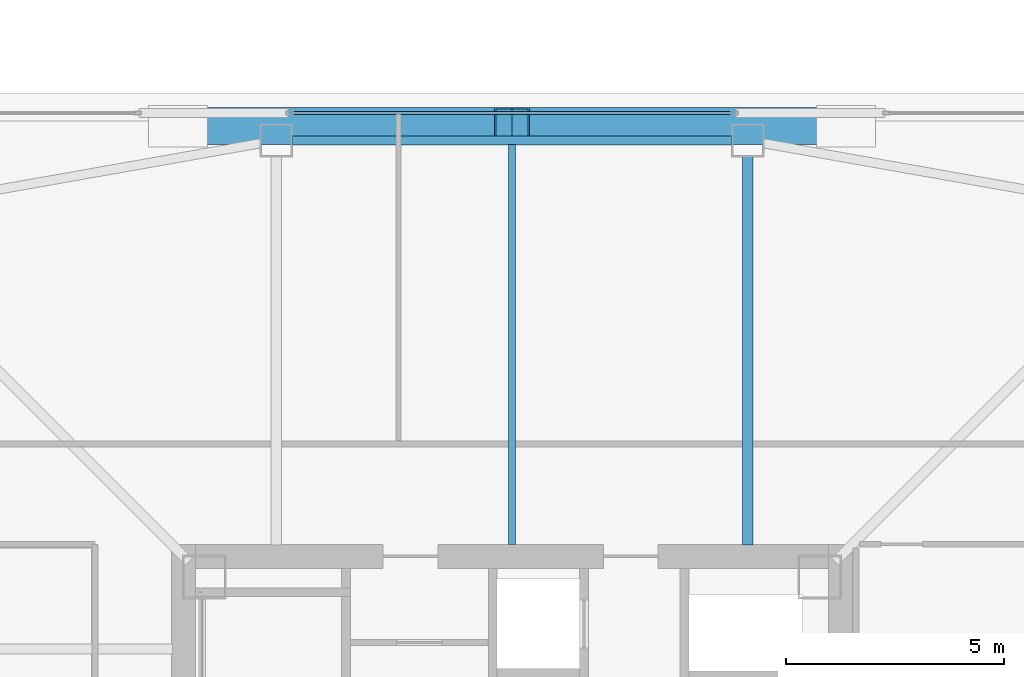
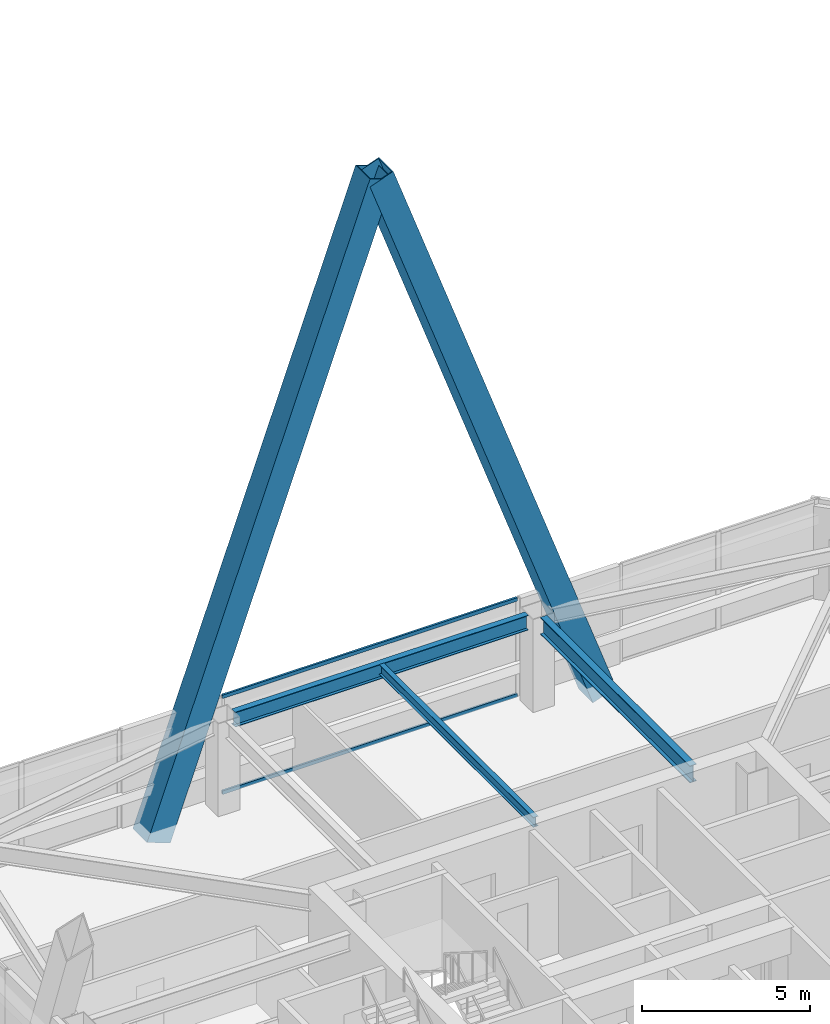
# One storey, part 18 of 55: 4 members, 3 beams, 1 element without a shape of its own.
"""IFC4 building model written with IfcOpenShell, lengths in metres."""

from ifc_helpers import new_model, si_unit, direction, frame, origin, origin_2d, place, context, subcontext, project, spatial, hollow_rectangle, i_section, extrude, material, material_profile, profile_set, type_object, element, aggregate, save


model = new_model("IFC4")

# Units and contexts
model_context = context("Model", 3, precision=1e-05, world=origin(), true_north=direction((0.0, 1.0)))
body_context = subcontext(model_context, "Body", "Model", "MODEL_VIEW")
ifc_project = project(units=[si_unit("LENGTHUNIT", "METRE"), si_unit("AREAUNIT", "SQUARE_METRE"), si_unit("VOLUMEUNIT", "CUBIC_METRE"), si_unit("PLANEANGLEUNIT", "RADIAN"), si_unit("MASSUNIT", "GRAM", prefix="KILO")], contexts=[model_context])

# Site, building, storey
site_placement = place(None, origin())
site = spatial("IfcSite", under=ifc_project, at=site_placement, CompositionType="ELEMENT")
building_placement = place(site_placement, origin())
building = spatial("IfcBuilding", under=site, at=building_placement, Name="Tashvorn Skyway Center", CompositionType="ELEMENT")
storey_placement = place(building_placement, frame((0.0, 0.0, 178.300048828125)))
storey = spatial("IfcBuildingStorey", under=building, at=storey_placement, Name="L48", CompositionType="ELEMENT", Elevation=178.300048828125)

# Beams
ifc_material_1 = material(Name="Steel ASTM A992 Grade 50", Category="steel")
ifc_material_profile_1 = material_profile(ifc_material_1, i_section(OverallWidth=0.22998046875, OverallDepth=0.616943359375, WebThickness=0.01318359375, FlangeThickness=0.022216796875, at=origin_2d()), Name="W24X94")
ifc_profile_set_1 = profile_set([ifc_material_profile_1], Name="Steel ASTM A992 Grade 50")
beam_type_1 = type_object("IfcBeamType", Name="BM-BEAM-W24X94", PredefinedType="BEAM", material=ifc_profile_set_1)
beam_1_placement = place(storey_placement, frame((47.39990234375, 48.679931640625, 3.0615234375), z_axis=(0.0, -1.0, 0.0), x_axis=(1.0, 0.0, 0.0)))
element("IfcBeam", 1, at=beam_1_placement, inside=storey, type_object=beam_type_1, Name="Tower 1 L48 Primary Floor Girder FC-N1", PredefinedType="BEAM", context=body_context, shape_type="SweptSolid", body=[
    extrude(i_section(OverallWidth=0.22998046875, OverallDepth=0.616943359375, WebThickness=0.01318359375, FlangeThickness=0.022216796875, at=origin_2d()), origin(), (0.0, 0.0, 1.0), 8.89990234375),
])
ifc_material_profile_2 = material_profile(ifc_material_1, i_section(OverallWidth=0.1708984375, OverallDepth=0.35498046875, WebThickness=0.007080078125, FlangeThickness=0.01171875, at=origin_2d()), Name="W14X34")
ifc_profile_set_2 = profile_set([ifc_material_profile_2], Name="Steel ASTM A992 Grade 50")
beam_type_2 = type_object("IfcBeamType", Name="BM-JOIST-W14X34", PredefinedType="JOIST", material=ifc_profile_set_2)
beam_2_placement = place(storey_placement, frame((42.0, 39.7900390625, 3.1923828125), z_axis=(0.0, 1.0, 0.0), x_axis=(-1.0, 0.0, 0.0)))
element("IfcBeam", 2, at=beam_2_placement, inside=storey, type_object=beam_type_2, Name="Tower 1 L48 Secondary Composite Joist JN", PredefinedType="JOIST", context=body_context, shape_type="SweptSolid", body=[
    extrude(i_section(OverallWidth=0.1708984375, OverallDepth=0.35498046875, WebThickness=0.007080078125, FlangeThickness=0.01171875, at=origin_2d()), origin(), (0.0, 0.0, 1.0), 9.162353515625),
])
ifc_material_profile_3 = material_profile(ifc_material_1, i_section(OverallWidth=0.2109375, OverallDepth=0.5390625, WebThickness=0.01171875, FlangeThickness=0.018798828125, at=origin_2d()), Name="W21X73")
ifc_profile_set_3 = profile_set([ifc_material_profile_3], Name="Steel ASTM A992 Grade 50")
beam_type_3 = type_object("IfcBeamType", Name="BM-SPANDREL-W21X73", PredefinedType="SPANDREL", material=ifc_profile_set_3)
beam_3_placement = place(storey_placement, frame((47.030029296875, 49.050048828125, 3.100341796875), z_axis=(-1.0, 0.0, 0.0), x_axis=(0.0, -1.0, 0.0)))
element("IfcBeam", 3, at=beam_3_placement, inside=storey, type_object=beam_type_3, Name="Tower 1 L48 Spandrel Beam 08", PredefinedType="SPANDREL", context=body_context, shape_type="SweptSolid", body=[
    extrude(i_section(OverallWidth=0.2109375, OverallDepth=0.5390625, WebThickness=0.01171875, FlangeThickness=0.018798828125, at=origin_2d()), origin(), (0.0, 0.0, 1.0), 10.06005859375),
])

# Curtain wall, members
ifc_material_2 = material(Name="Thermally broken bronze-anodized aluminium 6063-T6", Category="aluminium")
curtain_wall_type = type_object("IfcCurtainWallType", Name="CW-CW-Z4", PredefinedType="NOTDEFINED", material=ifc_material_2)
curtain_wall_placement = place(storey_placement, origin())
curtain_wall = element("IfcCurtainWall", 4, at=curtain_wall_placement, inside=storey, type_object=curtain_wall_type, Name="Tower 1 L48 North Unitised Curtain Wall Glazing Group 2", PredefinedType="NOTDEFINED")
ifc_material_profile_4 = material_profile(ifc_material_2, hollow_rectangle(XDim=0.070068359375, YDim=0.1298828125, WallThickness=0.00390625, at=origin_2d()), Name="ALU-TRAN-70x130")
ifc_profile_set_4 = profile_set([ifc_material_profile_4], Name="Thermally broken bronze-anodized aluminium 6063-T6")
member_type_1 = type_object("IfcMemberType", Name="CWT-CW-Z4", PredefinedType="USERDEFINED", material=ifc_profile_set_4)
member_1_placement = place(storey_placement, frame((36.943359375, 49.679931640625, 0.034912109375), z_axis=(1.0, 0.0, 0.0), x_axis=(0.0, 1.0, 0.0)))
member_1 = element("IfcMember", 5, at=member_1_placement, type_object=member_type_1, Name="CW-Z4 transom 1.1", ObjectType="TRANSOM", PredefinedType="USERDEFINED", context=body_context, shape_type="SweptSolid", body=[
    extrude(hollow_rectangle(XDim=0.070068359375, YDim=0.1298828125, WallThickness=0.00390625, at=origin_2d()), origin(), (0.0, 0.0, 1.0), 10.11328125),
])
member_2_placement = place(storey_placement, frame((36.943359375, 49.679931640625, 3.514892578125), z_axis=(1.0, 0.0, 0.0), x_axis=(0.0, 1.0, 0.0)))
member_2 = element("IfcMember", 6, at=member_2_placement, type_object=member_type_1, Name="CW-Z4 transom 1.2", ObjectType="TRANSOM", PredefinedType="USERDEFINED", context=body_context, shape_type="SweptSolid", body=[
    extrude(hollow_rectangle(XDim=0.070068359375, YDim=0.1298828125, WallThickness=0.00390625, at=origin_2d()), origin(), (0.0, 0.0, 1.0), 10.11328125),
])
aggregate(curtain_wall, [member_1, member_2])

# Members
ifc_material_3 = material(Name="Steel ASTM A572 Grade 50", Category="steel")
ifc_material_profile_5 = material_profile(ifc_material_3, hollow_rectangle(XDim=0.85009765625, YDim=0.85009765625, WallThickness=0.034912109375, at=origin_2d()), Name="BOX850x850x35")
ifc_profile_set_5 = profile_set([ifc_material_profile_5], Name="Steel ASTM A572 Grade 50")
member_type_2 = type_object("IfcMemberType", Name="MEM-MB-850", PredefinedType="BRACE", material=ifc_profile_set_5)
for number, where, z_axis, x_axis, name in (
    (7, (49.64990234375, 49.3798828125, -0.449951171875), (-0.336612679687, 0.0, 0.941643193505), (0.0, -1.0, 0.0), "Tower 1 Zone 4 N Chevron Mega-Brace L2"),
    (8, (34.35009765625, 49.3798828125, -0.449951171875), (0.336612679687, 0.0, 0.941643193505), (0.0, 1.0, 0.0), "Tower 1 Zone 4 N Chevron Mega-Brace R2"),
):
    element("IfcMember", number, at=place(storey_placement, frame(where, z_axis=z_axis, x_axis=x_axis)), inside=storey, type_object=member_type_2, Name=name, PredefinedType="BRACE", context=body_context, shape_type="SweptSolid", body=[
        extrude(hollow_rectangle(XDim=0.85009765625, YDim=0.85009765625, WallThickness=0.034912109375, at=origin_2d()), origin(), (0.0, 0.0, 1.0), 22.72607421875),
    ])

save(model, "model.ifc")
